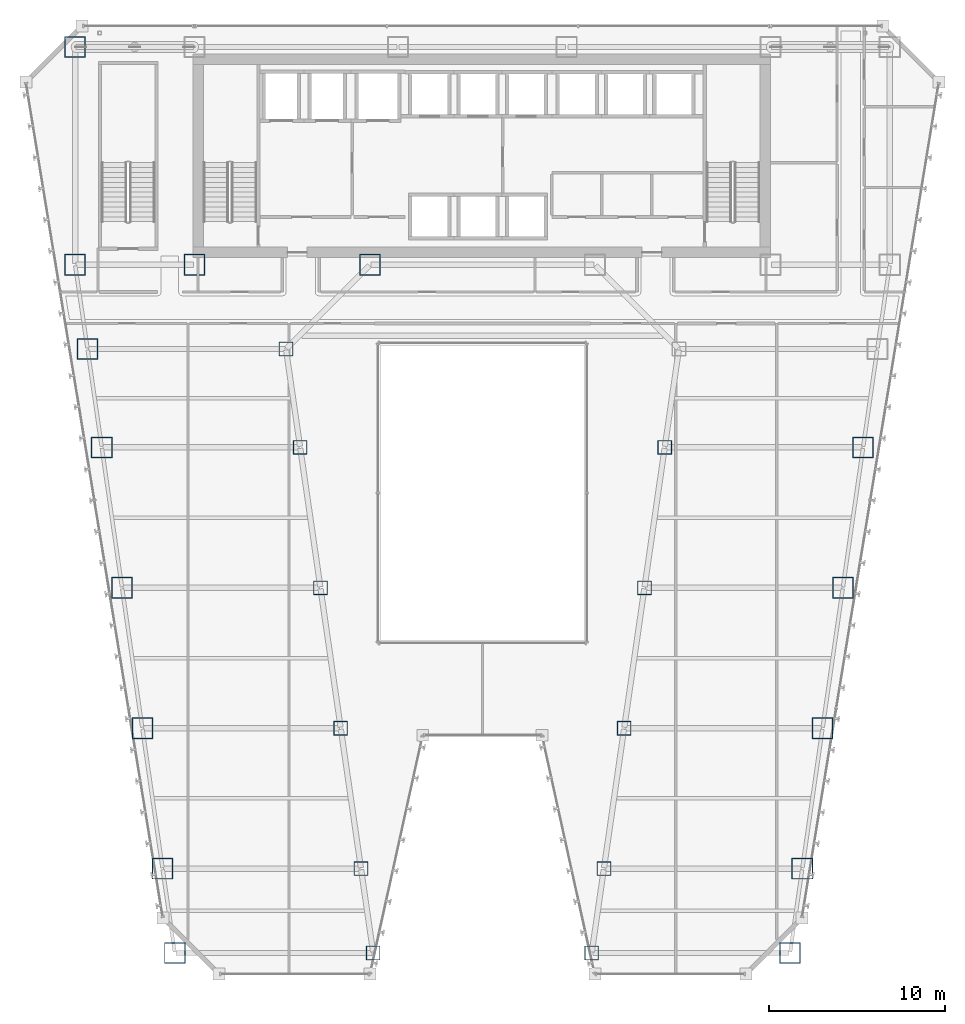
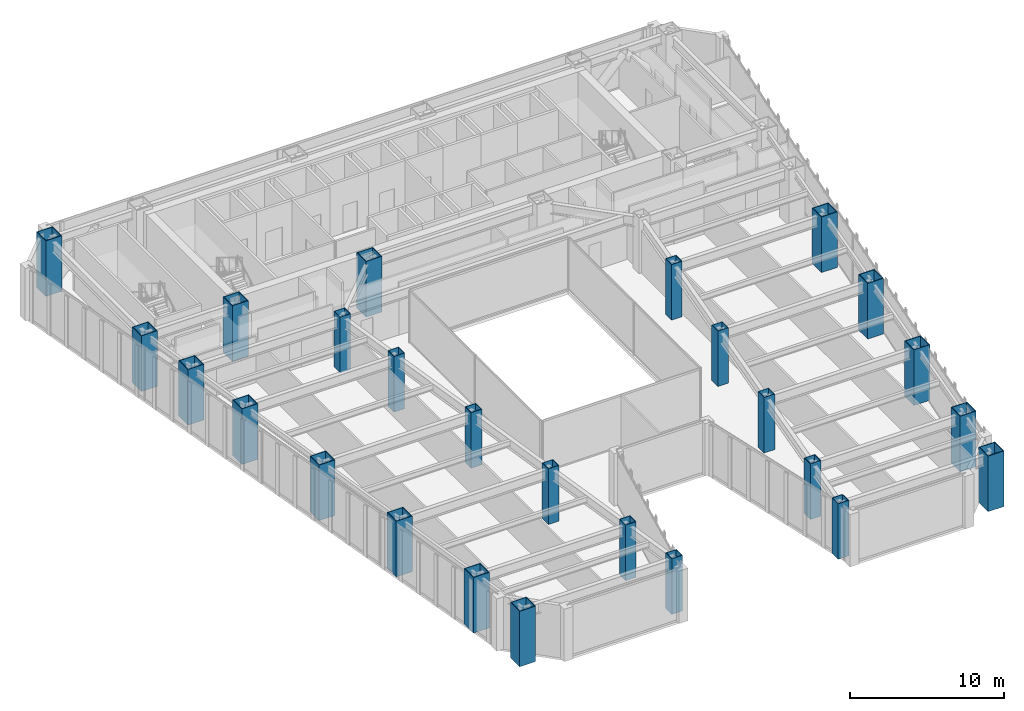
# One storey, part 1 of 49: 26 columns.
"""IFC4 building model written with IfcOpenShell, lengths in metres."""

from ifc_helpers import new_model, si_unit, direction, frame, origin, origin_2d, place, context, subcontext, project, spatial, hollow_rectangle, extrude, material, material_profile, profile_set, type_object, element, save


model = new_model("IFC4")

# Units and contexts
model_context = context("Model", 3, precision=1e-05, world=origin(), true_north=direction((0.0, 1.0)))
body_context = subcontext(model_context, "Body", "Model", "MODEL_VIEW")
ifc_project = project(units=[si_unit("LENGTHUNIT", "METRE"), si_unit("AREAUNIT", "SQUARE_METRE"), si_unit("VOLUMEUNIT", "CUBIC_METRE"), si_unit("PLANEANGLEUNIT", "RADIAN"), si_unit("MASSUNIT", "GRAM", prefix="KILO")], contexts=[model_context])

# Site, building, storey
site_placement = place(None, origin())
site = spatial("IfcSite", under=ifc_project, at=site_placement, CompositionType="ELEMENT")
building_placement = place(site_placement, origin())
building = spatial("IfcBuilding", under=site, at=building_placement, Name="Saevonmaru Cultural Tower", CompositionType="ELEMENT")
storey_placement = place(building_placement, frame((0.0, 0.0, 73.60009765625)))
storey = spatial("IfcBuildingStorey", under=building, at=storey_placement, Name="L15", CompositionType="ELEMENT", Elevation=73.60009765625)

# Columns
ifc_material_1 = material(Name="Steel HSA600 (600 MPa)", Category="steel")
ifc_material_profile_1 = material_profile(ifc_material_1, hollow_rectangle(XDim=1.199951171875, YDim=1.199951171875, WallThickness=0.054931640625, at=origin_2d()), Name="BOX-1200x1200x55")
ifc_profile_set_1 = profile_set([ifc_material_profile_1], Name="Steel HSA600 (600 MPa)")
column_type_1 = type_object("IfcColumnType", Name="COL-BOX-1200", PredefinedType="COLUMN", material=ifc_profile_set_1)
for number, where, z_axis, x_axis, name in (
    (1, (6.800048828125, 54.800048828125, 0.0), (0.0, 0.0, 1.0), (1.0, 0.0, 0.0), "L15 Column TC-N1N"),
    (2, (6.800048828125, 42.39990234375, 0.0), (0.0, 0.0, 1.0), (1.0, 0.0, 0.0), "L15 Column TC-S1C"),
    (3, (13.60009765625, 42.39990234375, 0.0), (0.0, 0.0, 1.0), (1.0, 0.0, 0.0), "L15 Column TC-S2C"),
    (4, (23.60009765625, 42.39990234375, 0.0), (0.0, 0.0, 1.0), (1.0, 0.0, 0.0), "L15 Column TC-S3C"),
    (5, (12.47705078125, 3.199951171875, 0.0), (0.0, 0.0, 1.0), (1.0, 0.0, 0.0), "L15 Column TC-WO-Y032"),
    (6, (47.52294921875, 3.199951171875, 0.0), (0.0, 0.0, 1.0), (1.0, 0.0, 0.0), "L15 Column TC-EO-Y032"),
    (7, (11.782958984375, 8.0, 0.0), (0.0, 0.0, 1.0), (1.0, 0.0, 0.0), "L15 Column TC-WO-Y080"),
    (8, (48.217041015625, 8.0, 0.0), (0.0, 0.0, 1.0), (1.0, 0.0, 0.0), "L15 Column TC-EO-Y080"),
    (9, (10.6279296875, 16.0, 0.0), (0.0, 0.0, 1.0), (1.0, 0.0, 0.0), "L15 Column TC-WO-Y160"),
    (10, (49.3720703125, 16.0, 0.0), (0.0, 0.0, 1.0), (1.0, 0.0, 0.0), "L15 Column TC-EO-Y160"),
    (11, (9.471923828125, 24.0, 0.0), (0.0, 0.0, 1.0), (1.0, 0.0, 0.0), "L15 Column TC-WO-Y240"),
    (12, (50.528076171875, 24.0, 0.0), (0.0, 0.0, 1.0), (1.0, 0.0, 0.0), "L15 Column TC-EO-Y240"),
    (13, (8.31689453125, 32.0, 0.0), (0.0, 0.0, 1.0), (1.0, 0.0, 0.0), "L15 Column TC-WO-Y320"),
    (14, (51.68310546875, 32.0, 0.0), (0.0, 0.0, 1.0), (1.0, 0.0, 0.0), "L15 Column TC-EO-Y320"),
    (15, (7.508056640625, 37.60009765625, 0.0), (0.0, 0.0, 1.0), (1.0, 0.0, 0.0), "L15 Column TC-WO-Y376"),
):
    element("IfcColumn", number, at=place(storey_placement, frame(where, z_axis=z_axis, x_axis=x_axis)), inside=storey, type_object=column_type_1, Name=name, PredefinedType="COLUMN", context=body_context, shape_type="SweptSolid", body=[
        extrude(hollow_rectangle(XDim=1.199951171875, YDim=1.199951171875, WallThickness=0.054931640625, at=origin_2d()), origin(), (0.0, 0.0, 1.0), 4.39990234375),
    ])
ifc_material_2 = material(Name="Steel SM420", Category="steel")
ifc_material_profile_2 = material_profile(ifc_material_2, hollow_rectangle(XDim=0.800048828125, YDim=0.800048828125, WallThickness=0.035888671875, at=origin_2d()), Name="BOX-800x800x36")
ifc_profile_set_2 = profile_set([ifc_material_profile_2], Name="Steel SM420")
column_type_2 = type_object("IfcColumnType", Name="COL-BOX-800", PredefinedType="COLUMN", material=ifc_profile_set_2)
for number, where, z_axis, x_axis, name in (
    (16, (23.777099609375, 3.199951171875, 0.0), (0.0, 0.0, 1.0), (1.0, 0.0, 0.0), "L15 Column TC-WI-Y032"),
    (17, (36.222900390625, 3.199951171875, 0.0), (0.0, 0.0, 1.0), (1.0, 0.0, 0.0), "L15 Column TC-EI-Y032"),
    (18, (23.0830078125, 8.0, 0.0), (0.0, 0.0, 1.0), (1.0, 0.0, 0.0), "L15 Column TC-WI-Y080"),
    (19, (36.9169921875, 8.0, 0.0), (0.0, 0.0, 1.0), (1.0, 0.0, 0.0), "L15 Column TC-EI-Y080"),
    (20, (21.927978515625, 16.0, 0.0), (0.0, 0.0, 1.0), (1.0, 0.0, 0.0), "L15 Column TC-WI-Y160"),
    (21, (38.072021484375, 16.0, 0.0), (0.0, 0.0, 1.0), (1.0, 0.0, 0.0), "L15 Column TC-EI-Y160"),
    (22, (20.77197265625, 24.0, 0.0), (0.0, 0.0, 1.0), (1.0, 0.0, 0.0), "L15 Column TC-WI-Y240"),
    (23, (39.22802734375, 24.0, 0.0), (0.0, 0.0, 1.0), (1.0, 0.0, 0.0), "L15 Column TC-EI-Y240"),
    (24, (19.616943359375, 32.0, 0.0), (0.0, 0.0, 1.0), (1.0, 0.0, 0.0), "L15 Column TC-WI-Y320"),
    (25, (40.383056640625, 32.0, 0.0), (0.0, 0.0, 1.0), (1.0, 0.0, 0.0), "L15 Column TC-EI-Y320"),
    (26, (18.80810546875, 37.60009765625, 0.0), (0.0, 0.0, 1.0), (1.0, 0.0, 0.0), "L15 Column TC-WI-Y376"),
):
    element("IfcColumn", number, at=place(storey_placement, frame(where, z_axis=z_axis, x_axis=x_axis)), inside=storey, type_object=column_type_2, Name=name, PredefinedType="COLUMN", context=body_context, shape_type="SweptSolid", body=[
        extrude(hollow_rectangle(XDim=0.800048828125, YDim=0.800048828125, WallThickness=0.035888671875, at=origin_2d()), origin(), (0.0, 0.0, 1.0), 4.39990234375),
    ])

save(model, "model.ifc")
